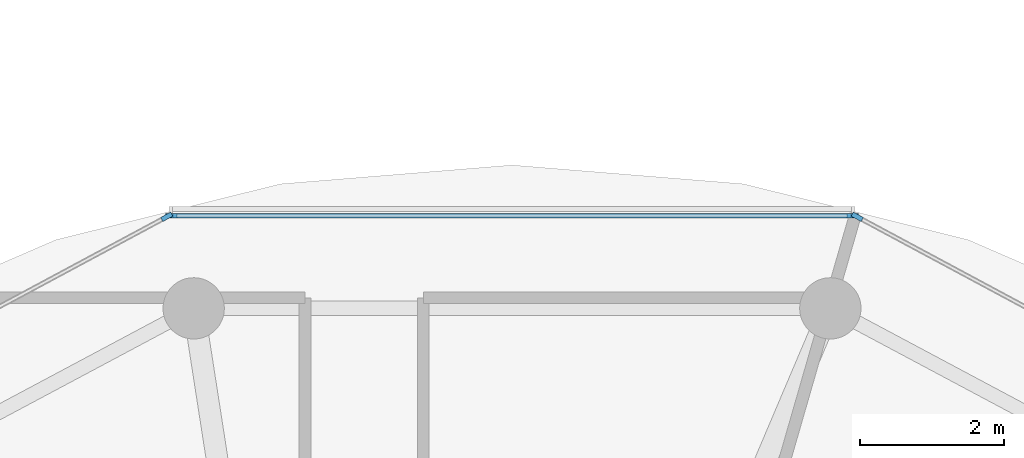
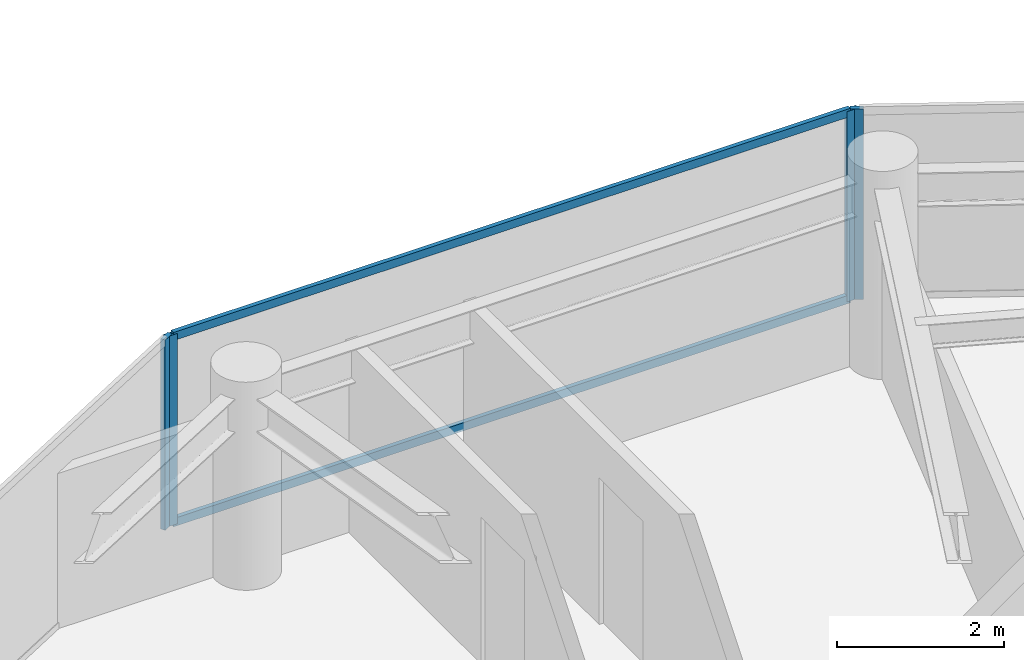
# One storey, part 9 of 24: 6 members, 3 elements without a shape of their own.
"""IFC4 building model written with IfcOpenShell, lengths in metres."""

from ifc_helpers import new_model, si_unit, direction, frame, origin, origin_2d, place, context, subcontext, project, spatial, rectangle, extrude, source, transform, mapped, material, layer, layer_set, material_profile, profile_set, type_object, type_shapes, element, aggregate, save


model = new_model("IFC4")

# Units and contexts
model_context = context("Model", 3, precision=1e-05, world=origin(), true_north=direction((0.0, 1.0)))
body_context = subcontext(model_context, "Body", "Model", "MODEL_VIEW")
ifc_project = project(units=[si_unit("LENGTHUNIT", "METRE"), si_unit("AREAUNIT", "SQUARE_METRE"), si_unit("VOLUMEUNIT", "CUBIC_METRE"), si_unit("PLANEANGLEUNIT", "RADIAN"), si_unit("MASSUNIT", "GRAM", prefix="KILO")], contexts=[model_context])

# Site, building, storey
site_placement = place(None, origin())
site = spatial("IfcSite", under=ifc_project, at=site_placement, CompositionType="ELEMENT")
building_placement = place(site_placement, origin())
building = spatial("IfcBuilding", under=site, at=building_placement, Name="Norrkilde Senior Care Towers", CompositionType="ELEMENT")
storey_placement = place(building_placement, frame((0.0, 0.0, 105.39990234375)))
storey = spatial("IfcBuildingStorey", under=building, at=storey_placement, Name="L32", CompositionType="ELEMENT", Elevation=105.39990234375)

# Curtain wall, member
ifc_material_1 = material(Name="Triple Low-E Insulated Glazing", Category="glass")
ifc_layer = layer(ifc_material_1, 0.195068359375)
ifc_layer_set = layer_set([ifc_layer], Name="Triple Low-E Insulated Glazing")
curtain_wall_type = type_object("IfcCurtainWallType", Name="CW3 Zone 2 Assisted Living Curtain Wall", PredefinedType="NOTDEFINED", material=ifc_layer_set)
curtain_wall_1_placement = place(storey_placement, origin())
curtain_wall_1 = element("IfcCurtainWall", 1, at=curtain_wall_1_placement, inside=storey, type_object=curtain_wall_type, Name="L32 Drum W Curtain Wall 01", PredefinedType="NOTDEFINED")
ifc_material_2 = material(Name="Anodised Aluminium", Category="aluminium")
ifc_material_profile_1 = material_profile(ifc_material_2, rectangle(XDim=0.06494140625, YDim=0.159912109375, at=origin_2d()), Name="ALU MULL 65x160")
ifc_profile_set_1 = profile_set([ifc_material_profile_1], Name="Anodised Aluminium")
member_type_1 = type_object("IfcMemberType", Name="Curtain Wall Mullion Z1-Z2 65x160", PredefinedType="MULLION", material=ifc_profile_set_1)
shared_shape_1 = source(origin(), body_context, "Body", "SweptSolid", [
    extrude(rectangle(XDim=0.06494140625, YDim=0.159912109375, at=origin_2d()), origin(), (0.0, 0.0, 1.0), 2.7900390625),
])
type_shapes(member_type_1, [shared_shape_1])
member_1_placement = place(storey_placement, frame((-21.164306640625, 16.482666015625, 0.0), z_axis=(0.0, 0.0, 1.0), x_axis=(0.472769402511, 0.881186184668, 0.0)))
member_1 = element("IfcMember", 2, at=member_1_placement, type_object=member_type_1, Name="CW-3 mullion 1", PredefinedType="MULLION", context=body_context, shape_type="MappedRepresentation", body=[
    mapped(shared_shape_1, transform((0.0, 0.0, 0.0), x_axis=(1.0, 0.0, 0.0), y_axis=(0.0, 1.0, 0.0), z_axis=(0.0, 0.0, 1.0), scale=1.0)),
])
aggregate(curtain_wall_1, [member_1])

# Curtain wall, members
curtain_wall_2_placement = place(storey_placement, origin())
curtain_wall_2 = element("IfcCurtainWall", 3, at=curtain_wall_2_placement, inside=storey, type_object=curtain_wall_type, Name="L32 Drum W Curtain Wall 02", PredefinedType="NOTDEFINED")
member_2_placement = place(storey_placement, frame((-30.674560546875, 16.498046875, 0.0), z_axis=(0.0, 0.0, 1.0), x_axis=(0.0, 1.0, 0.0)))
member_2 = element("IfcMember", 4, at=member_2_placement, type_object=member_type_1, Name="CW-3 mullion 1", PredefinedType="MULLION", context=body_context, shape_type="MappedRepresentation", body=[
    mapped(shared_shape_1, transform((0.0, 0.0, 0.0), x_axis=(1.0, 0.0, 0.0), y_axis=(0.0, 1.0, 0.0), z_axis=(0.0, 0.0, 1.0), scale=1.0)),
])
member_3_placement = place(storey_placement, frame((-21.225341796875, 16.498046875, 0.0), z_axis=(0.0, 0.0, 1.0), x_axis=(0.0, 1.0, 0.0)))
member_3 = element("IfcMember", 5, at=member_3_placement, type_object=member_type_1, Name="CW-3 mullion 2", PredefinedType="MULLION", context=body_context, shape_type="MappedRepresentation", body=[
    mapped(shared_shape_1, transform((0.0, 0.0, 0.0), x_axis=(1.0, 0.0, 0.0), y_axis=(0.0, 1.0, 0.0), z_axis=(0.0, 0.0, 1.0), scale=1.0)),
])

# Curtain wall, member
curtain_wall_3_placement = place(storey_placement, origin())
curtain_wall_3 = element("IfcCurtainWall", 6, at=curtain_wall_3_placement, inside=storey, type_object=curtain_wall_type, Name="L32 Drum W Curtain Wall 03", PredefinedType="NOTDEFINED")
member_4_placement = place(storey_placement, frame((-30.73583984375, 16.482666015625, 0.0), z_axis=(0.0, 0.0, 1.0), x_axis=(-0.472769402511, 0.881186184668, 0.0)))
member_4 = element("IfcMember", 7, at=member_4_placement, type_object=member_type_1, Name="CW-3 mullion 2", PredefinedType="MULLION", context=body_context, shape_type="MappedRepresentation", body=[
    mapped(shared_shape_1, transform((0.0, 0.0, 0.0), x_axis=(1.0, 0.0, 0.0), y_axis=(0.0, 1.0, 0.0), z_axis=(0.0, 0.0, 1.0), scale=1.0)),
])
aggregate(curtain_wall_3, [member_4])

# Member
ifc_material_profile_2 = material_profile(ifc_material_2, rectangle(XDim=0.06005859375, YDim=0.1201171875, at=origin_2d()), Name="ALU TRAN 60x120")
ifc_profile_set_2 = profile_set([ifc_material_profile_2], Name="Anodised Aluminium")
member_type_2 = type_object("IfcMemberType", Name="Curtain Wall Transom Typical 60x120", PredefinedType="USERDEFINED", material=ifc_profile_set_2)
shared_shape_2 = source(origin(), body_context, "Body", "SweptSolid", [
    extrude(rectangle(XDim=0.06005859375, YDim=0.1201171875, at=origin_2d()), origin(), (0.0, 0.0, 1.0), 9.38427734375),
])
type_shapes(member_type_2, [shared_shape_2])
member_5_placement = place(storey_placement, frame((-30.64208984375, 16.498046875, 0.030029296875), z_axis=(1.0, 0.0, 0.0), x_axis=(0.0, 1.0, 0.0)))
member_5 = element("IfcMember", 8, at=member_5_placement, type_object=member_type_2, Name="CW-3 transom 1.1", ObjectType="TRANSOM", PredefinedType="USERDEFINED", context=body_context, shape_type="MappedRepresentation", body=[
    mapped(shared_shape_2, transform((0.0, 0.0, 0.0), x_axis=(1.0, 0.0, 0.0), y_axis=(0.0, 1.0, 0.0), z_axis=(0.0, 0.0, 1.0), scale=1.0)),
])

member_6_placement = place(storey_placement, frame((-30.64208984375, 16.498046875, 2.760009765625), z_axis=(1.0, 0.0, 0.0), x_axis=(0.0, 1.0, 0.0)))
member_6 = element("IfcMember", 9, at=member_6_placement, type_object=member_type_2, Name="CW-3 transom 1.2", ObjectType="TRANSOM", PredefinedType="USERDEFINED", context=body_context, shape_type="MappedRepresentation", body=[
    mapped(shared_shape_2, transform((0.0, 0.0, 0.0), x_axis=(1.0, 0.0, 0.0), y_axis=(0.0, 1.0, 0.0), z_axis=(0.0, 0.0, 1.0), scale=1.0)),
])

aggregate(curtain_wall_2, [member_2, member_3, member_5, member_6])

save(model, "model.ifc")
